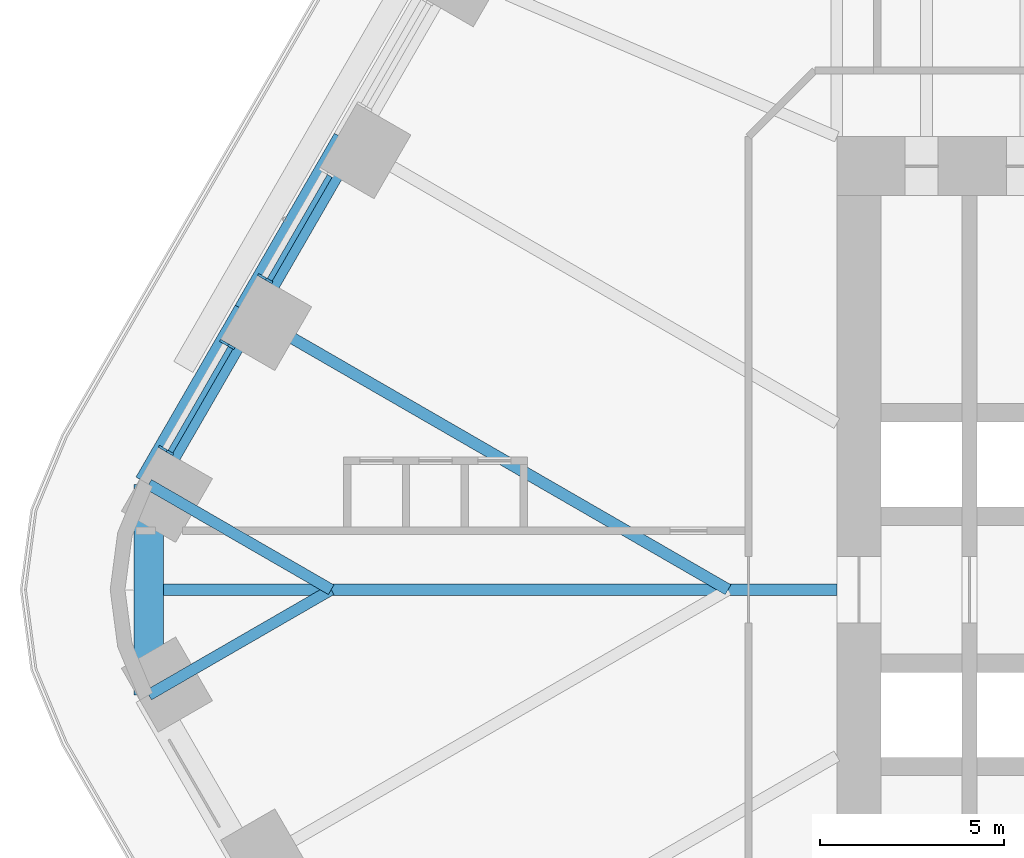
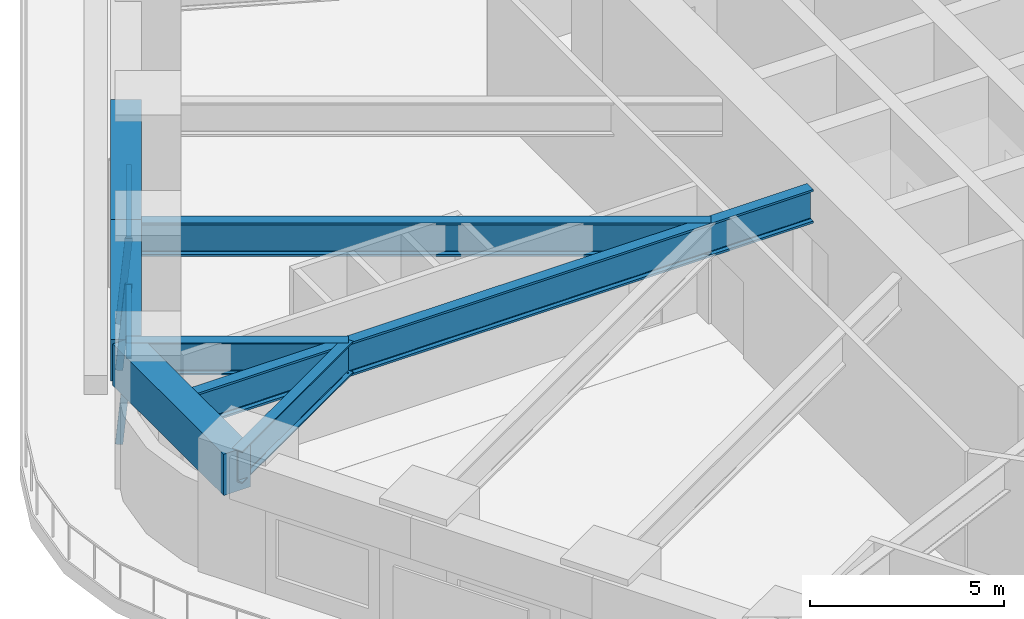
# One storey, part 6 of 23: 7 beams, 5 members, 2 elements without a shape of their own.
"""IFC4 building model written with IfcOpenShell, lengths in metres."""

import ifcopenshell
import ifcopenshell.guid

model = None  # the IFC model being written
_history = None  # IfcOwnerHistory: only IFC2X3 demands one
_inside = {}  # id of a spatial element -> (the spatial element, [elements in it])
_under = {}  # id of a project, library or spatial element -> (it, [spatial elements below it])
_declared = {}  # id of a project -> (the project, [libraries it declares])
_typed = {}  # id of a type object -> (the type object, [elements of that type])
_made_of = {}  # id of a material, layer set ... -> (it, [elements and type objects made of it])


def new_model(schema):
    """Start an empty IFC model of exactly this schema.

    Asked for "IFC4X3", IfcOpenShell would pick the latest addendum, in which some entities
    have other attributes; the version numbers below select the first issue.
    IFC2X3 requires an IfcOwnerHistory on every rooted entity: one is made here for all.
    """
    global model, _history
    if schema == "IFC4X3":
        model = ifcopenshell.file(schema_version=(4, 3, 0, 0))
    else:
        model = ifcopenshell.file(schema=schema)
    _inside.clear()
    _under.clear()
    _declared.clear()
    _typed.clear()
    _made_of.clear()
    _history = None
    if model.schema == "IFC2X3":
        org = make("IfcOrganization", Name="unknown")
        user = make(
            "IfcPersonAndOrganization",
            ThePerson=make("IfcPerson", FamilyName="unknown"),
            TheOrganization=org,
        )
        app = make(
            "IfcApplication",
            ApplicationDeveloper=org,
            Version="unknown",
            ApplicationFullName="unknown",
            ApplicationIdentifier="unknown",
        )
        _history = make(
            "IfcOwnerHistory",
            OwningUser=user,
            OwningApplication=app,
            ChangeAction="ADDED",
            CreationDate=0,
        )
    return model


def make(cls, **values):
    """One entity of the class cls with the attributes given. An attribute that is None is left unset."""
    return model.create_entity(
        cls, **{name: value for name, value in values.items() if value is not None}
    )


def rooted(cls, **values):
    """An entity with a GlobalId (a new one), such as an element, a storey or a relation."""
    return make(cls, GlobalId=ifcopenshell.guid.new(), OwnerHistory=_history, **values)


def si_unit(unit_type, name, prefix=None):
    """IfcSIUnit, for example si_unit("LENGTHUNIT", "METRE", prefix="MILLI")."""
    return make("IfcSIUnit", UnitType=unit_type, Prefix=prefix, Name=name)


def assignment(units):
    """IfcUnitAssignment: the units of a project."""
    return None if units is None else make("IfcUnitAssignment", Units=units)


def point(xyz):
    """IfcCartesianPoint."""
    return None if xyz is None else make("IfcCartesianPoint", Coordinates=xyz)


def direction(xyz):
    """IfcDirection."""
    return None if xyz is None else make("IfcDirection", DirectionRatios=xyz)


def frame(location, z_axis=None, x_axis=None):
    """IfcAxis2Placement3D, a coordinate frame: its origin and axes. An axis left out is left unset."""
    return make(
        "IfcAxis2Placement3D",
        Location=point(location),
        Axis=direction(z_axis),
        RefDirection=direction(x_axis),
    )


def frame_2d(location, x_axis=None):
    """IfcAxis2Placement2D, a coordinate frame in the plane: its origin and x axis."""
    return make(
        "IfcAxis2Placement2D", Location=point(location), RefDirection=direction(x_axis)
    )


def origin():
    """The frame at (0, 0, 0) with its axes left unset."""
    return frame((0.0, 0.0, 0.0))


def origin_2d():
    """The frame at (0, 0) in the plane with its x axis left unset."""
    return frame_2d((0.0, 0.0))


def place(relative_to, where):
    """IfcLocalPlacement: puts the frame where relative to a parent placement (None: the world)."""
    return make(
        "IfcLocalPlacement", PlacementRelTo=relative_to, RelativePlacement=where
    )


def context(
    kind, dimensions, precision=None, world=None, true_north=None, identifier=None
):
    """IfcGeometricRepresentationContext, for example the 3D "Model" context."""
    return make(
        "IfcGeometricRepresentationContext",
        ContextIdentifier=identifier,
        ContextType=kind,
        CoordinateSpaceDimension=dimensions,
        Precision=precision,
        WorldCoordinateSystem=world,
        TrueNorth=true_north,
    )


def subcontext(parent, identifier, kind, view, scale=None):
    """IfcGeometricRepresentationSubContext, for example "Body" below "Model"."""
    return make(
        "IfcGeometricRepresentationSubContext",
        ContextIdentifier=identifier,
        ContextType=kind,
        ParentContext=parent,
        TargetScale=scale,
        TargetView=view,
    )


def project(units=None, contexts=None):
    """IfcProject with its units and contexts."""
    return rooted(
        "IfcProject",
        Name="project",
        RepresentationContexts=contexts,
        UnitsInContext=assignment(units),
    )


def spatial(cls, under=None, at=None, **own):
    """A site, building, storey or space (cls), placed at a placement, below another one or the project."""
    s = rooted(cls, ObjectPlacement=at, **own)
    if under is not None:
        _under.setdefault(under.id(), (under, []))[1].append(s)
    return s


def profile(cls, at=None, kind="AREA", **sizes):
    """A parametric profile (cls). Its sizes go by their IFC names, for example OverallWidth=200.0."""
    return make(cls, ProfileType=kind, Position=at, **sizes)


def rectangle(**sizes):
    """IfcRectangleProfileDef."""
    return profile("IfcRectangleProfileDef", **sizes)


def i_section(**sizes):
    """IfcIShapeProfileDef."""
    return profile("IfcIShapeProfileDef", **sizes)


def extrude(swept, where, along, depth):
    """IfcExtrudedAreaSolid: the profile swept, set in the frame where, extruded along a direction by depth."""
    return make(
        "IfcExtrudedAreaSolid",
        SweptArea=swept,
        Position=where,
        ExtrudedDirection=direction(along),
        Depth=depth,
    )


def shape(context_of_items, identifier, shape_type, items):
    """IfcShapeRepresentation: the items that make up one representation, for example the "Body"."""
    return make(
        "IfcShapeRepresentation",
        ContextOfItems=context_of_items,
        RepresentationIdentifier=identifier,
        RepresentationType=shape_type,
        Items=items,
    )


def material(Name=None, Category=None):
    """IfcMaterial."""
    return make("IfcMaterial", Name=Name, Category=Category)


def material_profile(
    of_material, cross_section, Name=None, Category=None, Priority=None
):
    """IfcMaterialProfile: a cross section and its material."""
    return make(
        "IfcMaterialProfile",
        Name=Name,
        Material=of_material,
        Profile=cross_section,
        Priority=Priority,
        Category=Category,
    )


def profile_set(profiles, Name=None, composite=None):
    """IfcMaterialProfileSet."""
    return make(
        "IfcMaterialProfileSet",
        Name=Name,
        MaterialProfiles=profiles,
        CompositeProfile=composite,
    )


def made_of(thing, what):
    """Note that an element or type object is made of a material, layer set ...; save() writes the relation."""
    if what is not None:
        _made_of.setdefault(what.id(), (what, []))[1].append(thing)
    return thing


def type_object(cls, material=None, **own):
    """A type object (cls), such as IfcWallType, which elements share."""
    return made_of(rooted(cls, **own), material)


def element(
    cls,
    number,
    at=None,
    inside=None,
    cuts=None,
    type_object=None,
    material=None,
    context=None,
    identifier="Body",
    shape_type=None,
    held_by="IfcProductDefinitionShape",
    body=None,
    shapes=None,
    **own,
):
    """One element of the class cls, such as IfcWall. Its Tag is "e" and its number.

    at: its placement. inside: the storey or other place that contains it. cuts: it is an
    opening in that element (IfcRelVoidsElement). A single representation is given by context,
    identifier, shape_type and body (its items); several are given by shapes. held_by: the class
    of the entity that holds the representations. save() writes the other relations.
    """
    e = rooted(cls, Tag="e%d" % number, ObjectPlacement=at, **own)
    if body is not None:
        shapes = [shape(context, identifier, shape_type, body)]
    if shapes is not None:
        e.Representation = make(held_by, Representations=shapes)
    if inside is not None:
        _inside.setdefault(inside.id(), (inside, []))[1].append(e)
    if cuts is not None:
        rooted(
            "IfcRelVoidsElement", RelatingBuildingElement=cuts, RelatedOpeningElement=e
        )
    if type_object is not None:
        _typed.setdefault(type_object.id(), (type_object, []))[1].append(e)
    return made_of(e, material)


def aggregate(whole, parts):
    """IfcRelAggregates: a whole, such as a stair, and the parts it consists of."""
    return rooted("IfcRelAggregates", RelatingObject=whole, RelatedObjects=parts)


def save(model, path):
    """Write the relations noted so far, then the file.

    IfcRelAggregates (storeys below a building ...), IfcRelContainedInSpatialStructure (elements
    in a storey), IfcRelDefinesByType, IfcRelAssociatesMaterial and IfcRelDeclares: one each for
    every whole, place, type object, material and project.
    """
    for whole, parts in _under.values():
        aggregate(whole, parts)
    for where, things in _inside.values():
        rooted(
            "IfcRelContainedInSpatialStructure",
            RelatedElements=things,
            RelatingStructure=where,
        )
    for kind, things in _typed.values():
        rooted("IfcRelDefinesByType", RelatedObjects=things, RelatingType=kind)
    for what, things in _made_of.values():
        rooted("IfcRelAssociatesMaterial", RelatedObjects=things, RelatingMaterial=what)
    for by, libraries in _declared.values():
        rooted("IfcRelDeclares", RelatingContext=by, RelatedDefinitions=libraries)
    model.write(path)


model = new_model("IFC4")

# Units and contexts
model_context = context("Model", 3, precision=1e-05, world=origin(), true_north=direction((0.0, 1.0)))
body_context = subcontext(model_context, "Body", "Model", "MODEL_VIEW")
ifc_project = project(units=[si_unit("LENGTHUNIT", "METRE"), si_unit("AREAUNIT", "SQUARE_METRE"), si_unit("VOLUMEUNIT", "CUBIC_METRE"), si_unit("PLANEANGLEUNIT", "RADIAN"), si_unit("MASSUNIT", "GRAM", prefix="KILO")], contexts=[model_context])

# Site, building, storey
site_placement = place(None, origin())
site = spatial("IfcSite", under=ifc_project, at=site_placement, CompositionType="ELEMENT")
building_placement = place(site_placement, origin())
building = spatial("IfcBuilding", under=site, at=building_placement, Name="Tarfa Lantern Tower", CompositionType="ELEMENT")
storey_placement = place(building_placement, frame((0.0, 0.0, 82.300048828125)))
storey = spatial("IfcBuildingStorey", under=building, at=storey_placement, Name="L18", CompositionType="ELEMENT", Elevation=82.300048828125)

# Curtain wall, member
ifc_material_1 = material(Name="Aluminium framed curtain wall", Category="aluminium")
curtain_wall_type = type_object("IfcCurtainWallType", Name="CW1 CANTED GLAZING LOW ZONE 2700", PredefinedType="USERDEFINED", material=ifc_material_1)
curtain_wall_1_placement = place(storey_placement, origin())
curtain_wall_1 = element("IfcCurtainWall", 1, at=curtain_wall_1_placement, inside=storey, type_object=curtain_wall_type, Name="CW1 NW L18", ObjectType="CURTAIN WALL", PredefinedType="USERDEFINED")
ifc_material_2 = material(Name="Aluminium mullion", Category="aluminium")
ifc_material_profile_1 = material_profile(ifc_material_2, rectangle(XDim=0.06494140625, YDim=0.199951171875, at=origin_2d()), Name="AL MULLION 65x200")
ifc_profile_set_1 = profile_set([ifc_material_profile_1], Name="Aluminium mullion")
member_type_1 = type_object("IfcMemberType", Name="CWM1 MULLION 65x200", PredefinedType="MULLION", material=ifc_profile_set_1)
member_1_placement = place(storey_placement, frame((-34.230712890625, 8.5107421875, 0.0), z_axis=(0.07986442134, -0.046099868913, 0.99573916077), x_axis=(0.499919672301, 0.866071776036, 0.0)))
member_1 = element("IfcMember", 2, at=member_1_placement, type_object=member_type_1, Name="CW1 mullion 2", PredefinedType="MULLION", context=body_context, shape_type="SweptSolid", body=[
    extrude(rectangle(XDim=0.06494140625, YDim=0.199951171875, at=origin_2d()), origin(), (0.0, 0.0, 1.0), 2.71142578125),
])

# Curtain wall, members
curtain_wall_2_placement = place(storey_placement, origin())
curtain_wall_2 = element("IfcCurtainWall", 3, at=curtain_wall_2_placement, inside=storey, type_object=curtain_wall_type, Name="CW1 NW L18", ObjectType="CURTAIN WALL", PredefinedType="USERDEFINED")
member_2_placement = place(storey_placement, frame((-35.26318359375, 6.722412109375, 0.0), z_axis=(0.07986442134, -0.046099868913, 0.99573916077), x_axis=(0.499919672301, 0.866071776036, 0.0)))
member_2 = element("IfcMember", 4, at=member_2_placement, type_object=member_type_1, Name="CW1 mullion 1", PredefinedType="MULLION", context=body_context, shape_type="SweptSolid", body=[
    extrude(rectangle(XDim=0.06494140625, YDim=0.199951171875, at=origin_2d()), origin(), (0.0, 0.0, 1.0), 2.71142578125),
])
member_3_placement = place(storey_placement, frame((-36.9248046875, 3.84423828125, 0.0), z_axis=(0.079774955866, -0.04610020023, 0.995746317068), x_axis=(0.500342721131, 0.865827443207, 0.0)))
member_3 = element("IfcMember", 5, at=member_3_placement, type_object=member_type_1, Name="CW1 mullion 2", PredefinedType="MULLION", context=body_context, shape_type="SweptSolid", body=[
    extrude(rectangle(XDim=0.06494140625, YDim=0.199951171875, at=origin_2d()), origin(), (0.0, 0.0, 1.0), 2.71142578125),
])

# Member
ifc_material_3 = material(Name="Aluminium transom", Category="aluminium")
ifc_material_profile_2 = material_profile(ifc_material_3, rectangle(XDim=0.14990234375, YDim=0.06494140625, at=origin_2d()), Name="AL TRANSOM 150x65")
ifc_profile_set_2 = profile_set([ifc_material_profile_2], Name="Aluminium transom")
member_type_2 = type_object("IfcMemberType", Name="CWT1 TRANSOM 150x65", PredefinedType="USERDEFINED", material=ifc_profile_set_2)
member_4_placement = place(storey_placement, frame((-32.37109375, 11.237548828125, 2.66748046875), z_axis=(-0.500022939057, -0.866012159509, 0.0), x_axis=(0.866012159509, -0.500022939057, 0.0)))
member_4 = element("IfcMember", 6, at=member_4_placement, type_object=member_type_2, Name="CW1 transom 1.2", ObjectType="TRANSOM", PredefinedType="USERDEFINED", context=body_context, shape_type="SweptSolid", body=[
    extrude(rectangle(XDim=0.14990234375, YDim=0.06494140625, at=origin_2d()), origin(), (0.0, 0.0, 1.0), 3.258544921875),
])

aggregate(curtain_wall_1, [member_1, member_4])

member_5_placement = place(storey_placement, frame((-35.0654296875, 6.57080078125, 2.66748046875), z_axis=(-0.500022939057, -0.866012159509, 0.0), x_axis=(0.866012159509, -0.500022939057, 0.0)))
member_5 = element("IfcMember", 7, at=member_5_placement, type_object=member_type_2, Name="CW1 transom 1.2", ObjectType="TRANSOM", PredefinedType="USERDEFINED", context=body_context, shape_type="SweptSolid", body=[
    extrude(rectangle(XDim=0.14990234375, YDim=0.06494140625, at=origin_2d()), origin(), (0.0, 0.0, 1.0), 3.258544921875),
])

aggregate(curtain_wall_2, [member_2, member_3, member_5])

# Beams
ifc_material_4 = material(Name="Concrete C80/95", Category="concrete")
ifc_material_profile_3 = material_profile(ifc_material_4, rectangle(XDim=0.800048828125, YDim=1.300048828125, at=origin_2d()), Name="RC 800x1300")
ifc_profile_set_3 = profile_set([ifc_material_profile_3], Name="Concrete C80/95")
beam_type_1 = type_object("IfcBeamType", Name="EB1 RC 800x1300", PredefinedType="SPANDREL", material=ifc_profile_set_3)
beam_1_placement = place(storey_placement, frame((-31.896728515625, 12.193359375, 3.349853515625), z_axis=(-0.499998287579, -0.866026392449, 0.0), x_axis=(0.866026392449, -0.499998287579, 0.0)))
element("IfcBeam", 8, at=beam_1_placement, inside=storey, type_object=beam_type_1, Name="Edge beam NW4", PredefinedType="SPANDREL", context=body_context, shape_type="SweptSolid", body=[
    extrude(rectangle(XDim=0.800048828125, YDim=1.300048828125, at=origin_2d()), origin(), (0.0, 0.0, 1.0), 5.388671875),
])
beam_2_placement = place(storey_placement, frame((-34.591064453125, 7.526611328125, 3.349853515625), z_axis=(-0.500017906299, -0.866015065331, 0.0), x_axis=(0.866015065331, -0.500017906299, 0.0)))
element("IfcBeam", 9, at=beam_2_placement, inside=storey, type_object=beam_type_1, Name="Edge beam NW5", PredefinedType="SPANDREL", context=body_context, shape_type="SweptSolid", body=[
    extrude(rectangle(XDim=0.800048828125, YDim=1.300048828125, at=origin_2d()), origin(), (0.0, 0.0, 1.0), 5.388427734375),
])
beam_3_placement = place(storey_placement, frame((-37.285400390625, 2.860107421875, 3.349853515625), z_axis=(0.0, -1.0, 0.0), x_axis=(1.0, 0.0, 0.0)))
element("IfcBeam", 10, at=beam_3_placement, inside=storey, type_object=beam_type_1, Name="Edge beam NW6", PredefinedType="SPANDREL", context=body_context, shape_type="SweptSolid", body=[
    extrude(rectangle(XDim=0.800048828125, YDim=1.300048828125, at=origin_2d()), origin(), (0.0, 0.0, 1.0), 5.72021484375),
])
ifc_material_5 = material(Name="Steel S460M", Category="steel")
ifc_material_profile_4 = material_profile(ifc_material_5, i_section(OverallWidth=0.302001953125, OverallDepth=1.008056640625, WebThickness=0.02099609375, FlangeThickness=0.0400390625, FilletRadius=0.030029296875, at=origin_2d()), Name="UB1016x305x349")
ifc_profile_set_4 = profile_set([ifc_material_profile_4], Name="Steel S460M")
beam_type_2 = type_object("IfcBeamType", Name="UB1016x305x349", PredefinedType="BEAM", material=ifc_profile_set_4)
for number, where, z_axis, x_axis, name in (
    (11, (-37.285400390625, 2.860107421875, 3.495849609375), (0.866025668288, -0.499999541866, 0.0), (0.499999541866, 0.866025668288, 0.0), "Floor beam NW6"),
    (12, (-37.285400390625, -2.860107421875, 3.495849609375), (0.866025668288, 0.499999541866, 0.0), (-0.499999541866, 0.866025668288, 0.0), "Floor beam SW0"),
):
    element("IfcBeam", number, at=place(storey_placement, frame(where, z_axis=z_axis, x_axis=x_axis)), inside=storey, type_object=beam_type_2, Name=name, PredefinedType="BEAM", context=body_context, shape_type="SweptSolid", body=[
        extrude(i_section(OverallWidth=0.302001953125, OverallDepth=1.008056640625, WebThickness=0.02099609375, FlangeThickness=0.0400390625, FilletRadius=0.030029296875, at=origin_2d()), origin(), (0.0, 0.0, 1.0), 5.72021484375),
    ])
ifc_material_profile_5 = material_profile(ifc_material_5, i_section(OverallWidth=0.314208984375, OverallDepth=1.055908203125, WebThickness=0.035888671875, FlangeThickness=0.06396484375, FilletRadius=0.030029296875, at=origin_2d()), Name="UB1016x305x584")
ifc_profile_set_5 = profile_set([ifc_material_profile_5], Name="Steel S460M")
beam_type_3 = type_object("IfcBeamType", Name="UB1016x305x584", PredefinedType="BEAM", material=ifc_profile_set_5)
beam_4_placement = place(storey_placement, frame((-18.60009765625, 0.0, 3.471923828125), z_axis=(-1.0, 0.0, 0.0), x_axis=(0.0, -1.0, 0.0)))
element("IfcBeam", 13, at=beam_4_placement, inside=storey, type_object=beam_type_3, Name="Hip girder W", PredefinedType="BEAM", context=body_context, shape_type="SweptSolid", body=[
    extrude(i_section(OverallWidth=0.314208984375, OverallDepth=1.055908203125, WebThickness=0.035888671875, FlangeThickness=0.06396484375, FilletRadius=0.030029296875, at=origin_2d()), origin(), (0.0, 0.0, 1.0), 18.685302734375),
])
beam_5_placement = place(storey_placement, frame((-34.591064453125, 7.526611328125, 3.471923828125), z_axis=(0.86602785945, -0.499995746638, 0.0), x_axis=(0.499995746638, 0.86602785945, 0.0)))
element("IfcBeam", 14, at=beam_5_placement, inside=storey, type_object=beam_type_3, Name="Floor beam NW5", PredefinedType="BEAM", context=body_context, shape_type="SweptSolid", body=[
    extrude(i_section(OverallWidth=0.314208984375, OverallDepth=1.055908203125, WebThickness=0.035888671875, FlangeThickness=0.06396484375, FilletRadius=0.030029296875, at=origin_2d()), origin(), (0.0, 0.0, 1.0), 15.053466796875),
])

save(model, "model.ifc")
